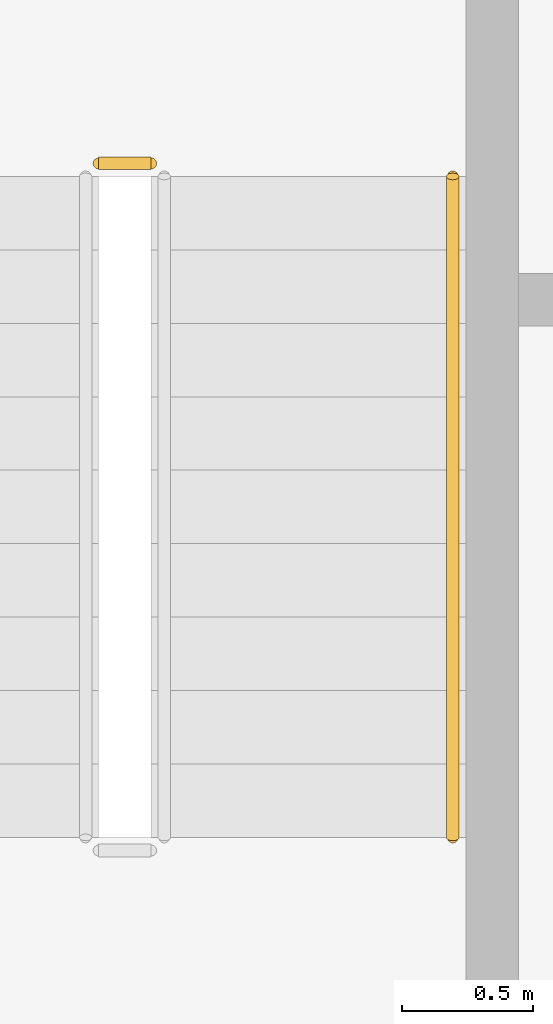
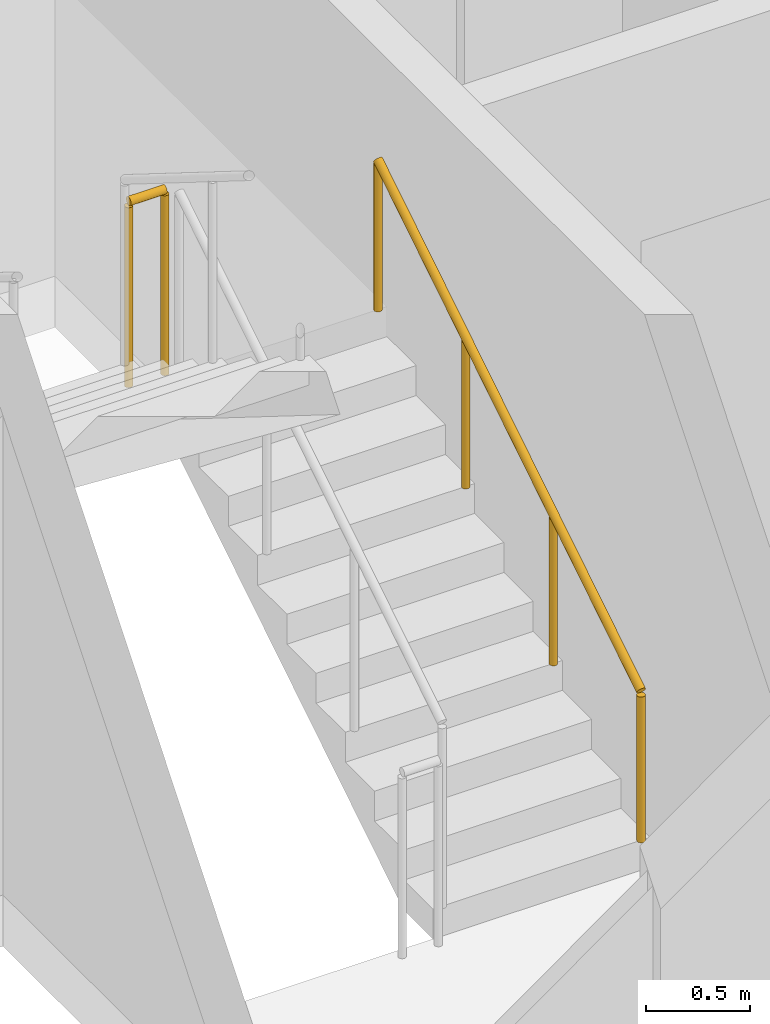
# One storey, part 17 of 22: 2 railings.
"""IFC4 building model written with IfcOpenShell, lengths in metres."""

from ifc_helpers import new_model, si_unit, direction, frame, origin, origin_2d, place, context, subcontext, project, spatial, circle, extrude, material, type_object, element, save


model = new_model("IFC4")

# Units and contexts
model_context = context("Model", 3, precision=1e-05, world=origin(), true_north=direction((0.0, 1.0)))
body_context = subcontext(model_context, "Body", "Model", "MODEL_VIEW")
ifc_project = project(units=[si_unit("LENGTHUNIT", "METRE"), si_unit("AREAUNIT", "SQUARE_METRE"), si_unit("VOLUMEUNIT", "CUBIC_METRE"), si_unit("PLANEANGLEUNIT", "RADIAN"), si_unit("MASSUNIT", "GRAM", prefix="KILO")], contexts=[model_context])

# Site, building, storey
site_placement = place(None, origin())
site = spatial("IfcSite", under=ifc_project, at=site_placement, CompositionType="ELEMENT")
building_placement = place(site_placement, origin())
building = spatial("IfcBuilding", under=site, at=building_placement, Name="Kiln Ring Residences", CompositionType="ELEMENT")
storey_placement = place(building_placement, frame((0.0, 0.0, 153.60009765625)))
storey = spatial("IfcBuildingStorey", under=building, at=storey_placement, Name="L39", CompositionType="ELEMENT", Elevation=153.60009765625)

# Railings
ifc_material_1 = material(Name="Stainless steel", Category="steel")
railing_type_1 = type_object("IfcRailingType", Name="CORE-STAIR-GUARD", PredefinedType="GUARDRAIL", material=ifc_material_1)
railing_1_placement = place(storey_placement, frame((22.199951171875, -5.830078125, 1.75)))
element("IfcRailing", 1, at=railing_1_placement, inside=storey, type_object=railing_type_1, Name="L39 E-STS stair guard 2", PredefinedType="GUARDRAIL", context=body_context, shape_type="SweptSolid", body=[
    extrude(circle(Radius=0.02392578125, at=origin_2d()), frame((0.0, 0.0, 1.076171875), z_axis=(-1.0, 0.0, 0.0), x_axis=(0.0, -1.0, 0.0)), (0.0, 0.0, 1.0), 0.199951171875),
    extrude(circle(Radius=0.02099609375, at=origin_2d()), origin(), (0.0, 0.0, 1.0), 1.052001953125),
    extrude(circle(Radius=0.02099609375, at=origin_2d()), frame((-0.199951171875, 0.0, 0.0)), (0.0, 0.0, 1.0), 1.052001953125),
])
ifc_material_2 = material(Name="Stainless steel", Category="steel")
railing_type_2 = type_object("IfcRailingType", Name="CORE-STAIR-HANDRAIL", PredefinedType="HANDRAIL", material=ifc_material_2)
railing_2_placement = place(storey_placement, frame((23.35009765625, -8.39990234375, 0.1748046875)))
element("IfcRailing", 2, at=railing_2_placement, inside=storey, type_object=railing_type_2, Name="L39 E-STS stair handrail 1", PredefinedType="HANDRAIL", context=body_context, shape_type="SweptSolid", body=[
    extrude(circle(Radius=0.02392578125, at=origin_2d()), frame((0.0, 0.0, 0.8759765625), z_axis=(0.0, 0.847970611238, 0.530043245855), x_axis=(-1.0, 0.0, 0.0)), (0.0, 0.0, 1.0), 2.971923828125),
    extrude(circle(Radius=0.02099609375, at=origin_2d()), origin(), (0.0, 0.0, 1.0), 0.851806640625),
    extrude(circle(Radius=0.02099609375, at=origin_2d()), frame((0.0, 0.840087890625, 0.525146484375)), (0.0, 0.0, 1.0), 0.851806640625),
    extrude(circle(Radius=0.02099609375, at=origin_2d()), frame((0.0, 1.679931640625, 1.050048828125)), (0.0, 0.0, 1.0), 0.851806640625),
    extrude(circle(Radius=0.02099609375, at=origin_2d()), frame((0.0, 2.52001953125, 1.5751953125)), (0.0, 0.0, 1.0), 0.851806640625),
])

save(model, "model.ifc")
